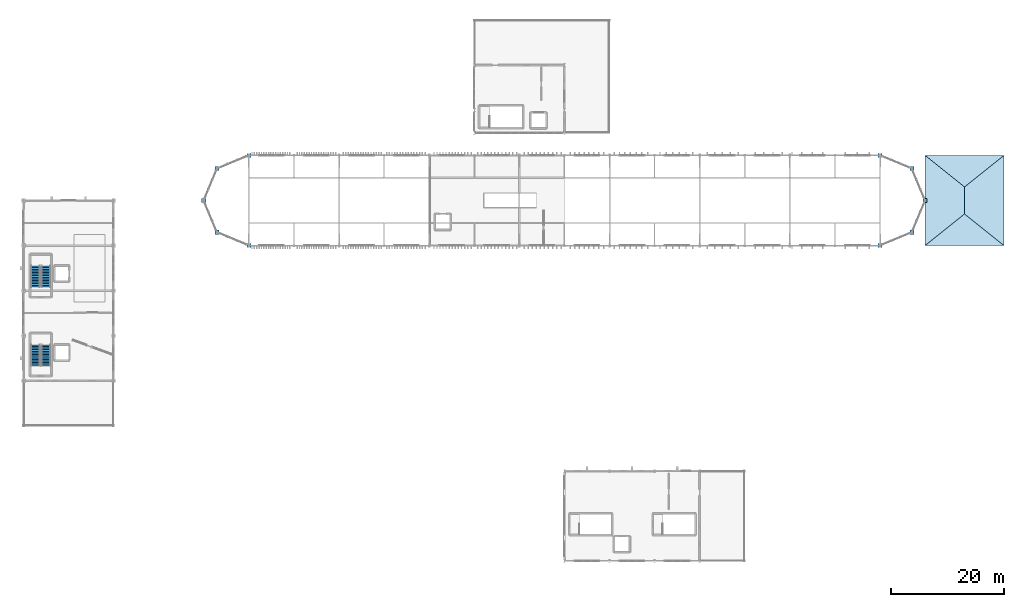
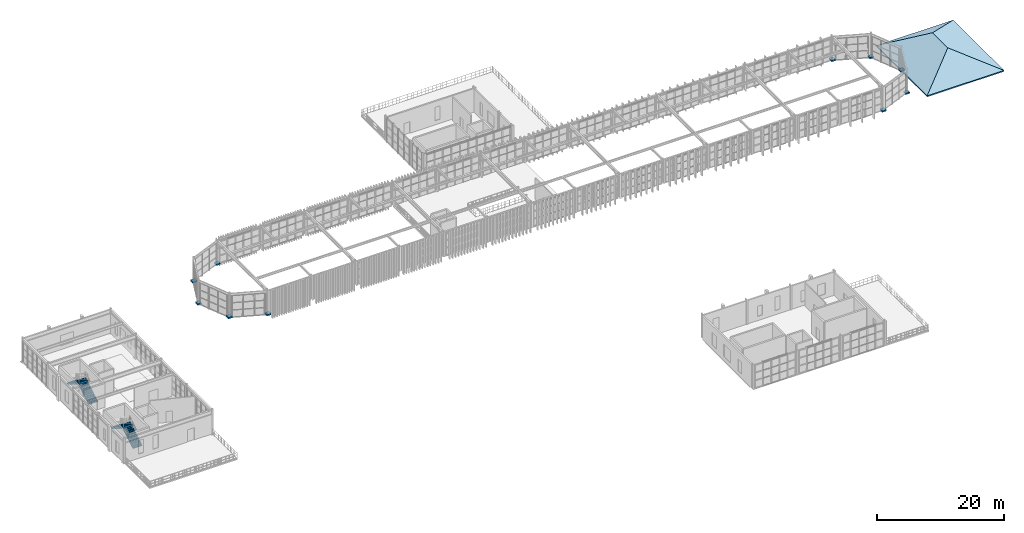
# One storey, part 53 of 61: 10 discrete accessories, 4 stair flights, 1 roof, 2 elements without a shape of their own.
"""IFC4 building model written with IfcOpenShell, lengths in metres."""

import ifcopenshell
import ifcopenshell.guid

model = None  # the IFC model being written
_history = None  # IfcOwnerHistory: only IFC2X3 demands one
_inside = {}  # id of a spatial element -> (the spatial element, [elements in it])
_under = {}  # id of a project, library or spatial element -> (it, [spatial elements below it])
_declared = {}  # id of a project -> (the project, [libraries it declares])
_typed = {}  # id of a type object -> (the type object, [elements of that type])
_made_of = {}  # id of a material, layer set ... -> (it, [elements and type objects made of it])


def new_model(schema):
    """Start an empty IFC model of exactly this schema.

    Asked for "IFC4X3", IfcOpenShell would pick the latest addendum, in which some entities
    have other attributes; the version numbers below select the first issue.
    IFC2X3 requires an IfcOwnerHistory on every rooted entity: one is made here for all.
    """
    global model, _history
    if schema == "IFC4X3":
        model = ifcopenshell.file(schema_version=(4, 3, 0, 0))
    else:
        model = ifcopenshell.file(schema=schema)
    _inside.clear()
    _under.clear()
    _declared.clear()
    _typed.clear()
    _made_of.clear()
    _history = None
    if model.schema == "IFC2X3":
        org = make("IfcOrganization", Name="unknown")
        user = make(
            "IfcPersonAndOrganization",
            ThePerson=make("IfcPerson", FamilyName="unknown"),
            TheOrganization=org,
        )
        app = make(
            "IfcApplication",
            ApplicationDeveloper=org,
            Version="unknown",
            ApplicationFullName="unknown",
            ApplicationIdentifier="unknown",
        )
        _history = make(
            "IfcOwnerHistory",
            OwningUser=user,
            OwningApplication=app,
            ChangeAction="ADDED",
            CreationDate=0,
        )
    return model


def make(cls, **values):
    """One entity of the class cls with the attributes given. An attribute that is None is left unset."""
    return model.create_entity(
        cls, **{name: value for name, value in values.items() if value is not None}
    )


def rooted(cls, **values):
    """An entity with a GlobalId (a new one), such as an element, a storey or a relation."""
    return make(cls, GlobalId=ifcopenshell.guid.new(), OwnerHistory=_history, **values)


def si_unit(unit_type, name, prefix=None):
    """IfcSIUnit, for example si_unit("LENGTHUNIT", "METRE", prefix="MILLI")."""
    return make("IfcSIUnit", UnitType=unit_type, Prefix=prefix, Name=name)


def assignment(units):
    """IfcUnitAssignment: the units of a project."""
    return None if units is None else make("IfcUnitAssignment", Units=units)


def point(xyz):
    """IfcCartesianPoint."""
    return None if xyz is None else make("IfcCartesianPoint", Coordinates=xyz)


def direction(xyz):
    """IfcDirection."""
    return None if xyz is None else make("IfcDirection", DirectionRatios=xyz)


def frame(location, z_axis=None, x_axis=None):
    """IfcAxis2Placement3D, a coordinate frame: its origin and axes. An axis left out is left unset."""
    return make(
        "IfcAxis2Placement3D",
        Location=point(location),
        Axis=direction(z_axis),
        RefDirection=direction(x_axis),
    )


def frame_2d(location, x_axis=None):
    """IfcAxis2Placement2D, a coordinate frame in the plane: its origin and x axis."""
    return make(
        "IfcAxis2Placement2D", Location=point(location), RefDirection=direction(x_axis)
    )


def origin():
    """The frame at (0, 0, 0) with its axes left unset."""
    return frame((0.0, 0.0, 0.0))


def origin_2d():
    """The frame at (0, 0) in the plane with its x axis left unset."""
    return frame_2d((0.0, 0.0))


def place(relative_to, where):
    """IfcLocalPlacement: puts the frame where relative to a parent placement (None: the world)."""
    return make(
        "IfcLocalPlacement", PlacementRelTo=relative_to, RelativePlacement=where
    )


def context(
    kind, dimensions, precision=None, world=None, true_north=None, identifier=None
):
    """IfcGeometricRepresentationContext, for example the 3D "Model" context."""
    return make(
        "IfcGeometricRepresentationContext",
        ContextIdentifier=identifier,
        ContextType=kind,
        CoordinateSpaceDimension=dimensions,
        Precision=precision,
        WorldCoordinateSystem=world,
        TrueNorth=true_north,
    )


def subcontext(parent, identifier, kind, view, scale=None):
    """IfcGeometricRepresentationSubContext, for example "Body" below "Model"."""
    return make(
        "IfcGeometricRepresentationSubContext",
        ContextIdentifier=identifier,
        ContextType=kind,
        ParentContext=parent,
        TargetScale=scale,
        TargetView=view,
    )


def project(units=None, contexts=None):
    """IfcProject with its units and contexts."""
    return rooted(
        "IfcProject",
        Name="project",
        RepresentationContexts=contexts,
        UnitsInContext=assignment(units),
    )


def spatial(cls, under=None, at=None, **own):
    """A site, building, storey or space (cls), placed at a placement, below another one or the project."""
    s = rooted(cls, ObjectPlacement=at, **own)
    if under is not None:
        _under.setdefault(under.id(), (under, []))[1].append(s)
    return s


def polyline(points):
    """IfcPolyline through the points."""
    return make("IfcPolyline", Points=[point(p) for p in points])


def point_list(points):
    """IfcCartesianPointList2D or 3D."""
    cls = (
        "IfcCartesianPointList2D" if len(points[0]) == 2 else "IfcCartesianPointList3D"
    )
    return make(cls, CoordList=points)


def profile(cls, at=None, kind="AREA", **sizes):
    """A parametric profile (cls). Its sizes go by their IFC names, for example OverallWidth=200.0."""
    return make(cls, ProfileType=kind, Position=at, **sizes)


def rectangle(**sizes):
    """IfcRectangleProfileDef."""
    return profile("IfcRectangleProfileDef", **sizes)


def outline(outer, holes=None, kind="AREA"):
    """IfcArbitraryClosedProfileDef: a profile drawn as a closed curve; with holes, ...WithVoids."""
    if holes is None:
        return make("IfcArbitraryClosedProfileDef", ProfileType=kind, OuterCurve=outer)
    return make(
        "IfcArbitraryProfileDefWithVoids",
        ProfileType=kind,
        OuterCurve=outer,
        InnerCurves=holes,
    )


def extrude(swept, where, along, depth):
    """IfcExtrudedAreaSolid: the profile swept, set in the frame where, extruded along a direction by depth."""
    return make(
        "IfcExtrudedAreaSolid",
        SweptArea=swept,
        Position=where,
        ExtrudedDirection=direction(along),
        Depth=depth,
    )


def polygons(points, faces, closed=None, point_numbers=None):
    """IfcPolygonalFaceSet: a face is its outer loop, then its inner loops; points numbered from 1."""
    made = []
    for loops in faces:
        if len(loops) == 1:
            made.append(make("IfcIndexedPolygonalFace", CoordIndex=loops[0]))
        else:
            made.append(
                make(
                    "IfcIndexedPolygonalFaceWithVoids",
                    CoordIndex=loops[0],
                    InnerCoordIndices=loops[1:],
                )
            )
    return make(
        "IfcPolygonalFaceSet",
        Coordinates=point_list(points),
        Closed=closed,
        Faces=made,
        PnIndex=point_numbers,
    )


def shape(context_of_items, identifier, shape_type, items):
    """IfcShapeRepresentation: the items that make up one representation, for example the "Body"."""
    return make(
        "IfcShapeRepresentation",
        ContextOfItems=context_of_items,
        RepresentationIdentifier=identifier,
        RepresentationType=shape_type,
        Items=items,
    )


def material(Name=None, Category=None):
    """IfcMaterial."""
    return make("IfcMaterial", Name=Name, Category=Category)


def layer(
    of_material, thickness, ventilated=None, Name=None, Category=None, Priority=None
):
    """IfcMaterialLayer: one layer of a wall or slab, of a material (None: an air gap)."""
    return make(
        "IfcMaterialLayer",
        Material=of_material,
        LayerThickness=thickness,
        IsVentilated=ventilated,
        Name=Name,
        Category=Category,
        Priority=Priority,
    )


def layer_set(layers, Name=None):
    """IfcMaterialLayerSet."""
    return make("IfcMaterialLayerSet", MaterialLayers=layers, LayerSetName=Name)


def made_of(thing, what):
    """Note that an element or type object is made of a material, layer set ...; save() writes the relation."""
    if what is not None:
        _made_of.setdefault(what.id(), (what, []))[1].append(thing)
    return thing


def type_object(cls, material=None, **own):
    """A type object (cls), such as IfcWallType, which elements share."""
    return made_of(rooted(cls, **own), material)


def element(
    cls,
    number,
    at=None,
    inside=None,
    cuts=None,
    type_object=None,
    material=None,
    context=None,
    identifier="Body",
    shape_type=None,
    held_by="IfcProductDefinitionShape",
    body=None,
    shapes=None,
    **own,
):
    """One element of the class cls, such as IfcWall. Its Tag is "e" and its number.

    at: its placement. inside: the storey or other place that contains it. cuts: it is an
    opening in that element (IfcRelVoidsElement). A single representation is given by context,
    identifier, shape_type and body (its items); several are given by shapes. held_by: the class
    of the entity that holds the representations. save() writes the other relations.
    """
    e = rooted(cls, Tag="e%d" % number, ObjectPlacement=at, **own)
    if body is not None:
        shapes = [shape(context, identifier, shape_type, body)]
    if shapes is not None:
        e.Representation = make(held_by, Representations=shapes)
    if inside is not None:
        _inside.setdefault(inside.id(), (inside, []))[1].append(e)
    if cuts is not None:
        rooted(
            "IfcRelVoidsElement", RelatingBuildingElement=cuts, RelatedOpeningElement=e
        )
    if type_object is not None:
        _typed.setdefault(type_object.id(), (type_object, []))[1].append(e)
    return made_of(e, material)


def aggregate(whole, parts):
    """IfcRelAggregates: a whole, such as a stair, and the parts it consists of."""
    return rooted("IfcRelAggregates", RelatingObject=whole, RelatedObjects=parts)


def save(model, path):
    """Write the relations noted so far, then the file.

    IfcRelAggregates (storeys below a building ...), IfcRelContainedInSpatialStructure (elements
    in a storey), IfcRelDefinesByType, IfcRelAssociatesMaterial and IfcRelDeclares: one each for
    every whole, place, type object, material and project.
    """
    for whole, parts in _under.values():
        aggregate(whole, parts)
    for where, things in _inside.values():
        rooted(
            "IfcRelContainedInSpatialStructure",
            RelatedElements=things,
            RelatingStructure=where,
        )
    for kind, things in _typed.values():
        rooted("IfcRelDefinesByType", RelatedObjects=things, RelatingType=kind)
    for what, things in _made_of.values():
        rooted("IfcRelAssociatesMaterial", RelatedObjects=things, RelatingMaterial=what)
    for by, libraries in _declared.values():
        rooted("IfcRelDeclares", RelatingContext=by, RelatedDefinitions=libraries)
    model.write(path)


model = new_model("IFC4")

# Units and contexts
model_context = context("Model", 3, precision=1e-05, world=origin(), true_north=direction((0.0, 1.0)))
body_context = subcontext(model_context, "Body", "Model", "MODEL_VIEW")
ifc_project = project(units=[si_unit("LENGTHUNIT", "METRE"), si_unit("AREAUNIT", "SQUARE_METRE"), si_unit("VOLUMEUNIT", "CUBIC_METRE"), si_unit("PLANEANGLEUNIT", "RADIAN"), si_unit("MASSUNIT", "GRAM", prefix="KILO")], contexts=[model_context])

# Site, building, storey
site_placement = place(None, origin())
site = spatial("IfcSite", under=ifc_project, at=site_placement, CompositionType="ELEMENT")
building_placement = place(site_placement, origin())
building = spatial("IfcBuilding", under=site, at=building_placement, Name="Serraluz Foothill Cableway Terminal", CompositionType="ELEMENT")
storey_placement = place(building_placement, frame((0.0, 0.0, 15.0)))
storey = spatial("IfcBuildingStorey", under=building, at=storey_placement, Name="L03", CompositionType="ELEMENT", Elevation=15.0)

# Stair, stair flights
ifc_material_1 = material(Name="Concrete C35/45 (f'c 35 MPa)", Category="concrete")
stair_type = type_object("IfcStairType", Name="TYP-ST-DOG-166-48", PredefinedType="HALF_TURN_STAIR", material=ifc_material_1)
stair_1_placement = place(storey_placement, origin())
stair_1 = element("IfcStair", 1, at=stair_1_placement, inside=storey, type_object=stair_type, Name="L03 ST-01", PredefinedType="HALF_TURN_STAIR")
stair_flight_type = type_object("IfcStairFlightType", Name="TYP-FL-DOG-166-48", PredefinedType="STRAIGHT", material=ifc_material_1)
stair_flight_1_placement = place(storey_placement, frame((3.969970703125, 48.659912109375, 0.0), z_axis=(0.0, 0.0, 1.0), x_axis=(0.0, 1.0, 0.0)))
stair_flight_1 = element("IfcStairFlight", 2, at=stair_flight_1_placement, type_object=stair_flight_type, Name="ST-01 flight 1", NumberOfRisers=14, NumberOfTreads=13, PredefinedType="STRAIGHT", RiserHeight=0.171428571, TreadLength=0.285, context=body_context, shape_type="SweptSolid", body=[
    extrude(outline(polyline([(-0.02490234375, -0.06005859375), (-0.02490234375, 0.0), (0.0, 0.0), (0.0, 0.17138671875), (0.284912109375, 0.17138671875), (0.284912109375, 0.3427734375), (0.570068359375, 0.3427734375), (0.570068359375, 0.514404296875), (0.85498046875, 0.514404296875), (0.85498046875, 0.685791015625), (1.139892578125, 0.685791015625), (1.139892578125, 0.857177734375), (1.425048828125, 0.857177734375), (1.425048828125, 1.028564453125), (1.7099609375, 1.028564453125), (1.7099609375, 1.199951171875), (1.9951171875, 1.199951171875), (1.9951171875, 1.371337890625), (2.280029296875, 1.371337890625), (2.280029296875, 1.54296875), (2.56494140625, 1.54296875), (2.56494140625, 1.71435546875), (2.85009765625, 1.71435546875), (2.85009765625, 1.8857421875), (3.135009765625, 1.8857421875), (3.135009765625, 2.05712890625), (3.419921875, 2.05712890625), (3.419921875, 2.228515625), (3.705078125, 2.228515625), (3.705078125, 2.39990234375), (3.72998046875, 2.39990234375), (3.72998046875, 2.0537109375), (0.290771484375, -0.06005859375), (-0.02490234375, -0.06005859375)])), frame((0.0, 0.830078125, 0.0), z_axis=(0.0, -1.0, 0.0), x_axis=(1.0, 0.0, 0.0)), (0.0, 0.0, 1.0), 1.659912109375),
])
stair_flight_2_placement = place(storey_placement, frame((2.14990234375, 52.364990234375, 2.39990234375), z_axis=(0.0, 0.0, 1.0), x_axis=(0.0, -1.0, 0.0)))
stair_flight_2 = element("IfcStairFlight", 3, at=stair_flight_2_placement, type_object=stair_flight_type, Name="ST-01 flight 2", NumberOfRisers=14, NumberOfTreads=13, PredefinedType="STRAIGHT", RiserHeight=0.171428571, TreadLength=0.285, context=body_context, shape_type="SweptSolid", body=[
    extrude(outline(polyline([(-0.02490234375, -0.06005859375), (-0.02490234375, 0.0), (0.0, 0.0), (0.0, 0.17138671875), (0.284912109375, 0.17138671875), (0.284912109375, 0.3427734375), (0.570068359375, 0.3427734375), (0.570068359375, 0.514404296875), (0.85498046875, 0.514404296875), (0.85498046875, 0.685791015625), (1.139892578125, 0.685791015625), (1.139892578125, 0.857177734375), (1.425048828125, 0.857177734375), (1.425048828125, 1.028564453125), (1.7099609375, 1.028564453125), (1.7099609375, 1.199951171875), (1.9951171875, 1.199951171875), (1.9951171875, 1.371337890625), (2.280029296875, 1.371337890625), (2.280029296875, 1.54296875), (2.56494140625, 1.54296875), (2.56494140625, 1.71435546875), (2.85009765625, 1.71435546875), (2.85009765625, 1.8857421875), (3.135009765625, 1.8857421875), (3.135009765625, 2.05712890625), (3.419921875, 2.05712890625), (3.419921875, 2.228515625), (3.705078125, 2.228515625), (3.705078125, 2.39990234375), (3.72998046875, 2.39990234375), (3.72998046875, 2.0537109375), (0.290771484375, -0.06005859375), (-0.02490234375, -0.06005859375)])), frame((0.0, 0.830078125, 0.0), z_axis=(0.0, -1.0, 0.0), x_axis=(1.0, 0.0, 0.0)), (0.0, 0.0, 1.0), 1.659912109375),
])
aggregate(stair_1, [stair_flight_1, stair_flight_2])

stair_2_placement = place(storey_placement, origin())
stair_2 = element("IfcStair", 4, at=stair_2_placement, inside=storey, type_object=stair_type, Name="L03 ST-02", PredefinedType="HALF_TURN_STAIR")
stair_flight_3_placement = place(storey_placement, frame((3.969970703125, 34.659912109375, 0.0), z_axis=(0.0, 0.0, 1.0), x_axis=(0.0, 1.0, 0.0)))
stair_flight_3 = element("IfcStairFlight", 5, at=stair_flight_3_placement, type_object=stair_flight_type, Name="ST-02 flight 1", NumberOfRisers=14, NumberOfTreads=13, PredefinedType="STRAIGHT", RiserHeight=0.171428571, TreadLength=0.285, context=body_context, shape_type="SweptSolid", body=[
    extrude(outline(polyline([(-0.02490234375, -0.06005859375), (-0.02490234375, 0.0), (0.0, 0.0), (0.0, 0.17138671875), (0.284912109375, 0.17138671875), (0.284912109375, 0.3427734375), (0.570068359375, 0.3427734375), (0.570068359375, 0.514404296875), (0.85498046875, 0.514404296875), (0.85498046875, 0.685791015625), (1.139892578125, 0.685791015625), (1.139892578125, 0.857177734375), (1.425048828125, 0.857177734375), (1.425048828125, 1.028564453125), (1.7099609375, 1.028564453125), (1.7099609375, 1.199951171875), (1.9951171875, 1.199951171875), (1.9951171875, 1.371337890625), (2.280029296875, 1.371337890625), (2.280029296875, 1.54296875), (2.56494140625, 1.54296875), (2.56494140625, 1.71435546875), (2.85009765625, 1.71435546875), (2.85009765625, 1.8857421875), (3.135009765625, 1.8857421875), (3.135009765625, 2.05712890625), (3.419921875, 2.05712890625), (3.419921875, 2.228515625), (3.705078125, 2.228515625), (3.705078125, 2.39990234375), (3.72998046875, 2.39990234375), (3.72998046875, 2.0537109375), (0.290771484375, -0.06005859375), (-0.02490234375, -0.06005859375)])), frame((0.0, 0.830078125, 0.0), z_axis=(0.0, -1.0, 0.0), x_axis=(1.0, 0.0, 0.0)), (0.0, 0.0, 1.0), 1.659912109375),
])
stair_flight_4_placement = place(storey_placement, frame((2.14990234375, 38.364990234375, 2.39990234375), z_axis=(0.0, 0.0, 1.0), x_axis=(0.0, -1.0, 0.0)))
stair_flight_4 = element("IfcStairFlight", 6, at=stair_flight_4_placement, type_object=stair_flight_type, Name="ST-02 flight 2", NumberOfRisers=14, NumberOfTreads=13, PredefinedType="STRAIGHT", RiserHeight=0.171428571, TreadLength=0.285, context=body_context, shape_type="SweptSolid", body=[
    extrude(outline(polyline([(-0.02490234375, -0.06005859375), (-0.02490234375, 0.0), (0.0, 0.0), (0.0, 0.17138671875), (0.284912109375, 0.17138671875), (0.284912109375, 0.3427734375), (0.570068359375, 0.3427734375), (0.570068359375, 0.514404296875), (0.85498046875, 0.514404296875), (0.85498046875, 0.685791015625), (1.139892578125, 0.685791015625), (1.139892578125, 0.857177734375), (1.425048828125, 0.857177734375), (1.425048828125, 1.028564453125), (1.7099609375, 1.028564453125), (1.7099609375, 1.199951171875), (1.9951171875, 1.199951171875), (1.9951171875, 1.371337890625), (2.280029296875, 1.371337890625), (2.280029296875, 1.54296875), (2.56494140625, 1.54296875), (2.56494140625, 1.71435546875), (2.85009765625, 1.71435546875), (2.85009765625, 1.8857421875), (3.135009765625, 1.8857421875), (3.135009765625, 2.05712890625), (3.419921875, 2.05712890625), (3.419921875, 2.228515625), (3.705078125, 2.228515625), (3.705078125, 2.39990234375), (3.72998046875, 2.39990234375), (3.72998046875, 2.0537109375), (0.290771484375, -0.06005859375), (-0.02490234375, -0.06005859375)])), frame((0.0, 0.830078125, 0.0), z_axis=(0.0, -1.0, 0.0), x_axis=(1.0, 0.0, 0.0)), (0.0, 0.0, 1.0), 1.659912109375),
])
aggregate(stair_2, [stair_flight_3, stair_flight_4])

# Roof
ifc_material_2 = material(Name="Standing-seam zinc-titanium roof assembly", Category="metal")
ifc_layer = layer(ifc_material_2, 0.219970703125, Name="Standing-seam zinc-titanium roof assembly", Category="metal")
ifc_layer_set = layer_set([ifc_layer], Name="Standing-seam zinc-titanium roof assembly")
roof_type = type_object("IfcRoofType", Name="TYP-RF-HIP-220", PredefinedType="HIP_ROOF", material=ifc_layer_set)
roof_placement = place(storey_placement, frame((160.0, 56.0, 0.0)))
element("IfcRoof", 7, at=roof_placement, inside=storey, type_object=roof_type, Name="Bullwheel Wing Hipped Roof 2", PredefinedType="HIP_ROOF", context=body_context, shape_type="Tessellation", body=[
    polygons([(0.0, 0.0, 0.0), (14.0, 0.0, 0.0), (14.0, 16.0, 0.0), (0.0, 16.0, 0.0), (7.0, 5.60009765625, 3.39990234375), (7.0, 10.39990234375, 3.39990234375), (0.0, 0.0, -0.219970703125), (14.0, 0.0, -0.219970703125), (14.0, 16.0, -0.219970703125), (0.0, 16.0, -0.219970703125), (7.0, 5.60009765625, 3.179931640625), (7.0, 10.39990234375, 3.179931640625)], [[[1, 2, 5]], [[2, 3, 6, 5]], [[3, 4, 6]], [[4, 1, 5, 6]], [[11, 8, 7]], [[11, 12, 9, 8]], [[12, 10, 9]], [[12, 11, 7, 10]], [[7, 8, 2, 1]], [[8, 9, 3, 2]], [[9, 10, 4, 3]], [[10, 7, 1, 4]]], closed=True),
])

# Discrete accessories
ifc_material_3 = material(Name="Steel ASTM A572 Grade 50", Category="steel")
discrete_accessory_type = type_object("IfcDiscreteAccessoryType", Name="TYP-ACC-BRK-120", PredefinedType="BRACKET", material=ifc_material_3)
for number, where, z_axis, x_axis, name in (
    (8, (40.0, 56.0, -0.02490234375), (0.0, 0.0, 1.0), (1.0, 0.0, 0.0), "Curved Curtain Wall Column Fixing Bracket W-L03-1"),
    (9, (34.343017578125, 58.343017578125, -0.02490234375), (0.0, 0.0, 1.0), (1.0, 0.0, 0.0), "Curved Curtain Wall Column Fixing Bracket W-L03-2"),
    (10, (32.0, 64.0, -0.02490234375), (0.0, 0.0, 1.0), (1.0, 0.0, 0.0), "Curved Curtain Wall Column Fixing Bracket W-L03-3"),
    (11, (34.343017578125, 69.656982421875, -0.02490234375), (0.0, 0.0, 1.0), (1.0, 0.0, 0.0), "Curved Curtain Wall Column Fixing Bracket W-L03-4"),
    (12, (40.0, 72.0, -0.02490234375), (0.0, 0.0, 1.0), (1.0, 0.0, 0.0), "Curved Curtain Wall Column Fixing Bracket W-L03-5"),
    (13, (152.0, 56.0, -0.02490234375), (0.0, 0.0, 1.0), (1.0, 0.0, 0.0), "Curved Curtain Wall Column Fixing Bracket E-L03-1"),
    (14, (157.656982421875, 58.343017578125, -0.02490234375), (0.0, 0.0, 1.0), (1.0, 0.0, 0.0), "Curved Curtain Wall Column Fixing Bracket E-L03-2"),
    (15, (160.0, 64.0, -0.02490234375), (0.0, 0.0, 1.0), (1.0, 0.0, 0.0), "Curved Curtain Wall Column Fixing Bracket E-L03-3"),
    (16, (157.656982421875, 69.656982421875, -0.02490234375), (0.0, 0.0, 1.0), (1.0, 0.0, 0.0), "Curved Curtain Wall Column Fixing Bracket E-L03-4"),
    (17, (152.0, 72.0, -0.02490234375), (0.0, 0.0, 1.0), (1.0, 0.0, 0.0), "Curved Curtain Wall Column Fixing Bracket E-L03-5"),
):
    element("IfcDiscreteAccessory", number, at=place(storey_placement, frame(where, z_axis=z_axis, x_axis=x_axis)), inside=storey, type_object=discrete_accessory_type, Name=name, PredefinedType="BRACKET", context=body_context, shape_type="SweptSolid", body=[
        extrude(rectangle(XDim=0.75, YDim=0.75, at=origin_2d()), origin(), (0.0, 0.0, 1.0), 0.25),
    ])

save(model, "model.ifc")
